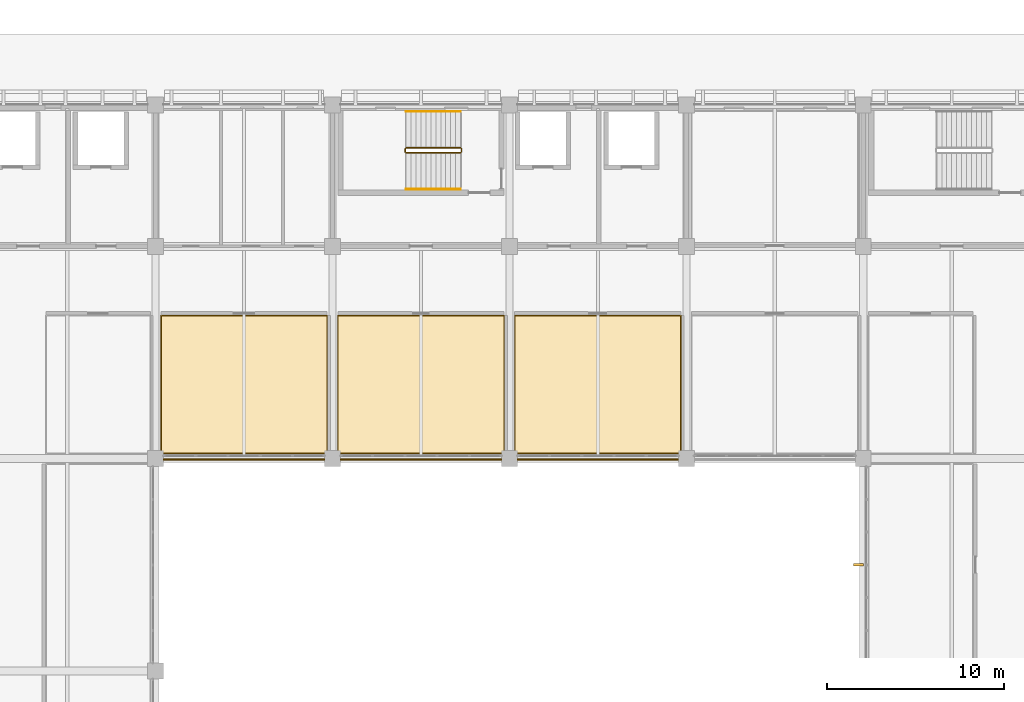
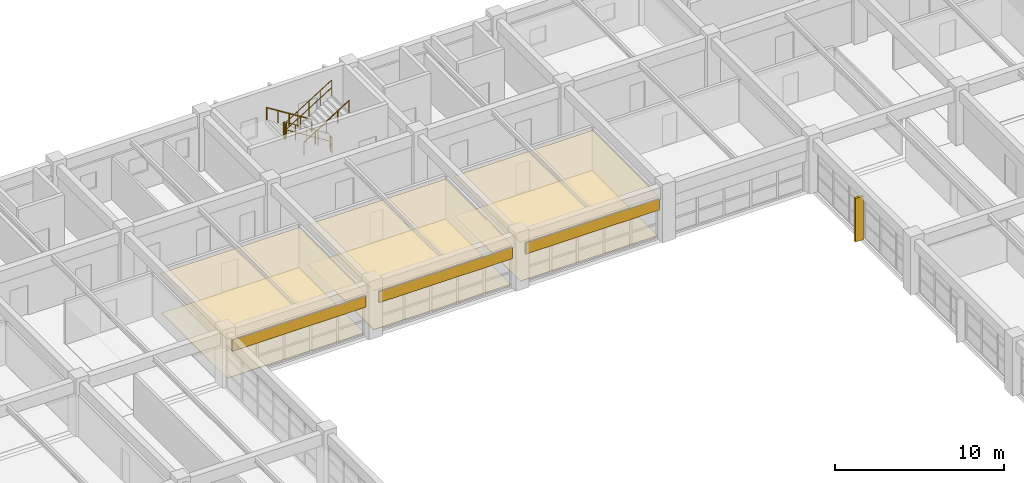
# One storey, part 98 of 100: 9 coverings, 6 railings, 1 shading device.
"""IFC4 building model written with IfcOpenShell, lengths in metres."""

from ifc_helpers import new_model, si_unit, direction, frame, frame_2d, origin, origin_2d, place, context, subcontext, project, spatial, polyline, rectangle, circle, outline, extrude, material, layer, layer_set, type_object, element, save


model = new_model("IFC4")

# Units and contexts
model_context = context("Model", 3, precision=1e-05, world=origin(), true_north=direction((0.0, 1.0)))
body_context = subcontext(model_context, "Body", "Model", "MODEL_VIEW")
ifc_project = project(units=[si_unit("LENGTHUNIT", "METRE"), si_unit("AREAUNIT", "SQUARE_METRE"), si_unit("VOLUMEUNIT", "CUBIC_METRE"), si_unit("PLANEANGLEUNIT", "RADIAN"), si_unit("MASSUNIT", "GRAM", prefix="KILO")], contexts=[model_context])

# Site, building, storey
site_placement = place(None, origin())
site = spatial("IfcSite", under=ifc_project, at=site_placement, CompositionType="ELEMENT")
building_placement = place(site_placement, origin())
building = spatial("IfcBuilding", under=site, at=building_placement, Name="Kivolera Central Railway Station", CompositionType="ELEMENT")
storey_placement = place(building_placement, frame((0.0, 0.0, 5.39990234375)))
storey = spatial("IfcBuildingStorey", under=building, at=storey_placement, Name="L01", CompositionType="ELEMENT", Elevation=5.39990234375)

# Shading device
ifc_material_1 = material(Name="Precast concrete C40/50", Category="concrete")
shading_device_type = type_object("IfcShadingDeviceType", Name="BS-FIN-CRT", PredefinedType="USERDEFINED", material=ifc_material_1)
shading_device_placement = place(storey_placement, frame((177.735107421875, 108.0, 0.000244140625), z_axis=(0.0, 0.0, 1.0), x_axis=(1.0, 0.0, 0.0)))
element("IfcShadingDevice", 1, at=shading_device_placement, inside=storey, type_object=shading_device_type, Name="L01 Courtyard East Solar Brise-Soleil Fin J", ObjectType="FIN", PredefinedType="USERDEFINED", context=body_context, shape_type="SweptSolid", body=[
    extrude(rectangle(XDim=0.550048828125, YDim=0.139892578125, at=origin_2d()), origin(), (0.0, 0.0, 1.0), 3.14990234375),
])

# Coverings
ifc_material_2 = material(Name="Mineral fibre acoustic tile")
ifc_layer_1 = layer(ifc_material_2, 0.02001953125, Name="Mineral fibre acoustic tile")
ifc_layer_set_1 = layer_set([ifc_layer_1], Name="Mineral fibre acoustic tile")
covering_type_1 = type_object("IfcCoveringType", Name="COV-CEIL-20", PredefinedType="CEILING", material=ifc_layer_set_1)
covering_1_placement = place(storey_placement, frame((0.0, 0.0, 2.85009765625)))
element("IfcCovering", 2, at=covering_1_placement, inside=storey, type_object=covering_type_1, Name="L01 Commuter Banking Branch Office Acoustic Ceiling", PredefinedType="CEILING", context=body_context, shape_type="SweptSolid", body=[
    extrude(outline(polyline([(148.280029296875, 114.280029296875), (157.719970703125, 114.280029296875), (157.719970703125, 122.1201171875), (148.280029296875, 122.1201171875), (148.280029296875, 114.280029296875)])), origin(), (0.0, 0.0, 1.0), 0.02001953125),
])
ifc_material_3 = material(Name="Hardwood mvule timber", Category="wood")
ifc_layer_2 = layer(ifc_material_3, 0.02490234375, Name="Hardwood mvule timber")
ifc_layer_set_2 = layer_set([ifc_layer_2], Name="Hardwood mvule timber")
covering_type_2 = type_object("IfcCoveringType", Name="COV-CEIL-25", PredefinedType="CEILING", material=ifc_layer_set_2)
covering_2_placement = place(storey_placement, frame((0.0, 0.0, 2.85009765625)))
element("IfcCovering", 3, at=covering_2_placement, inside=storey, type_object=covering_type_2, Name="L01 Express Courier Counter Shop Acoustic Ceiling", PredefinedType="CEILING", context=body_context, shape_type="SweptSolid", body=[
    extrude(outline(polyline([(158.280029296875, 114.280029296875), (167.719970703125, 114.280029296875), (167.719970703125, 122.1201171875), (158.280029296875, 122.1201171875), (158.280029296875, 114.280029296875)])), origin(), (0.0, 0.0, 1.0), 0.02490234375),
])
ifc_layer_3 = layer(ifc_material_2, 0.030029296875, Name="Mineral fibre acoustic tile")
ifc_layer_set_3 = layer_set([ifc_layer_3], Name="Mineral fibre acoustic tile")
covering_type_3 = type_object("IfcCoveringType", Name="COV-CEIL-30", PredefinedType="CEILING", material=ifc_layer_set_3)
covering_3_placement = place(storey_placement, frame((0.0, 0.0, 2.85009765625)))
element("IfcCovering", 4, at=covering_3_placement, inside=storey, type_object=covering_type_3, Name="L01 Coastal Artisan Gallery Shop Acoustic Ceiling", PredefinedType="CEILING", context=body_context, shape_type="SweptSolid", body=[
    extrude(outline(polyline([(138.280029296875, 114.280029296875), (147.719970703125, 114.280029296875), (147.719970703125, 122.1201171875), (138.280029296875, 122.1201171875), (138.280029296875, 114.280029296875)])), origin(), (0.0, 0.0, 1.0), 0.030029296875),
])
ifc_layer_4 = layer(ifc_material_1, 0.090087890625, Name="Precast concrete C40/50")
ifc_layer_set_4 = layer_set([ifc_layer_4], Name="Precast concrete C40/50")
covering_type_4 = type_object("IfcCoveringType", Name="COV-CLAUSTRA-90", PredefinedType="CLADDING", material=ifc_layer_set_4)
for number, where, z_axis, x_axis, name in (
    (5, (147.554931640625, 113.9599609375, 2.168212890625), (0.0, 0.0, 1.0), (-1.0, 0.0, 0.0), "L01 Monsoon Court Precast Claustra Screen 138"),
    (6, (157.554931640625, 113.9599609375, 2.168212890625), (0.0, 0.0, 1.0), (-1.0, 0.0, 0.0), "L01 Monsoon Court Precast Claustra Screen 148"),
    (7, (167.554931640625, 113.9599609375, 2.168212890625), (0.0, 0.0, 1.0), (-1.0, 0.0, 0.0), "L01 Monsoon Court Precast Claustra Screen 158"),
):
    element("IfcCovering", number, at=place(storey_placement, frame(where, z_axis=z_axis, x_axis=x_axis)), inside=storey, type_object=covering_type_4, Name=name, PredefinedType="CLADDING", context=body_context, shape_type="SweptSolid", body=[
        extrude(rectangle(XDim=9.10986328125, YDim=0.090087890625, at=frame_2d((4.554931640625, 0.0))), origin(), (0.0, 0.0, 1.0), 0.7998046875),
    ])
ifc_material_4 = material(Name="Swahili coral limestone", Category="masonry")
ifc_layer_5 = layer(ifc_material_4, 0.030029296875, Name="Swahili coral limestone")
ifc_layer_set_5 = layer_set([ifc_layer_5], Name="Swahili coral limestone")
covering_type_5 = type_object("IfcCoveringType", Name="COV-FLR-30", PredefinedType="FLOORING", material=ifc_layer_set_5)
covering_4_placement = place(storey_placement, origin())
element("IfcCovering", 8, at=covering_4_placement, inside=storey, type_object=covering_type_5, Name="L01 Coastal Artisan Gallery Shop Floor Finish", PredefinedType="FLOORING", context=body_context, shape_type="SweptSolid", body=[
    extrude(outline(polyline([(138.320068359375, 114.320068359375), (147.679931640625, 114.320068359375), (147.679931640625, 122.080078125), (138.320068359375, 122.080078125), (138.320068359375, 114.320068359375)])), origin(), (0.0, 0.0, 1.0), 0.030029296875),
])
covering_5_placement = place(storey_placement, origin())
element("IfcCovering", 9, at=covering_5_placement, inside=storey, type_object=covering_type_5, Name="L01 Commuter Banking Branch Office Floor Finish", PredefinedType="FLOORING", context=body_context, shape_type="SweptSolid", body=[
    extrude(outline(polyline([(148.320068359375, 114.320068359375), (157.679931640625, 114.320068359375), (157.679931640625, 122.080078125), (148.320068359375, 122.080078125), (148.320068359375, 114.320068359375)])), origin(), (0.0, 0.0, 1.0), 0.030029296875),
])
covering_6_placement = place(storey_placement, origin())
element("IfcCovering", 10, at=covering_6_placement, inside=storey, type_object=covering_type_5, Name="L01 Express Courier Counter Shop Floor Finish", PredefinedType="FLOORING", context=body_context, shape_type="SweptSolid", body=[
    extrude(outline(polyline([(158.320068359375, 114.320068359375), (167.679931640625, 114.320068359375), (167.679931640625, 122.080078125), (158.320068359375, 122.080078125), (158.320068359375, 114.320068359375)])), origin(), (0.0, 0.0, 1.0), 0.030029296875),
])

# Railings
ifc_material_5 = material(Name="Anodised aluminium", Category="aluminium")
ifc_layer_6 = layer(ifc_material_5, 0.048095703125, Name="Anodised aluminium")
ifc_layer_set_6 = layer_set([ifc_layer_6], Name="Anodised aluminium")
railing_type_1 = type_object("IfcRailingType", Name="RL-STAIR-GUARD", PredefinedType="GUARDRAIL", material=ifc_layer_set_6)
railing_1_placement = place(storey_placement, frame((155.239990234375, 131.570068359375, 0.175048828125)))
element("IfcRailing", 11, at=railing_1_placement, inside=storey, type_object=railing_type_1, Name="L01 ST2 stair guard 1", PredefinedType="GUARDRAIL", context=body_context, shape_type="SweptSolid", body=[
    extrude(circle(Radius=0.02392578125, at=origin_2d()), frame((0.0, 0.0, 1.10595703125), z_axis=(-0.847998304005, 0.0, 0.529998940003), x_axis=(0.0, -1.0, 0.0)), (0.0, 0.0, 1.0), 3.632080078125),
    extrude(circle(Radius=0.02392578125, at=origin_2d()), frame((0.0, 0.0, 0.56494140625), z_axis=(-0.847998304005, 0.0, 0.529998940003), x_axis=(0.0, -1.0, 0.0)), (0.0, 0.0, 1.0), 3.632080078125),
    extrude(circle(Radius=0.02099609375, at=origin_2d()), origin(), (0.0, 0.0, 1.0), 1.081787109375),
    extrude(circle(Radius=0.02099609375, at=origin_2d()), frame((-0.77001953125, 0.0, 0.481201171875)), (0.0, 0.0, 1.0), 1.081787109375),
    extrude(circle(Radius=0.02099609375, at=origin_2d()), frame((-1.5400390625, 0.0, 0.96240234375)), (0.0, 0.0, 1.0), 1.081787109375),
    extrude(circle(Radius=0.02099609375, at=origin_2d()), frame((-2.31005859375, 0.0, 1.44384765625)), (0.0, 0.0, 1.0), 1.081787109375),
    extrude(circle(Radius=0.02099609375, at=origin_2d()), frame((-3.080078125, 0.0, 1.925048828125)), (0.0, 0.0, 1.0), 1.081787109375),
])
railing_2_placement = place(storey_placement, frame((152.110107421875, 131.52001953125, 2.10009765625)))
element("IfcRailing", 12, at=railing_2_placement, inside=storey, type_object=railing_type_1, Name="L01 ST2 stair guard 2", PredefinedType="GUARDRAIL", context=body_context, shape_type="SweptSolid", body=[
    extrude(circle(Radius=0.02392578125, at=origin_2d()), frame((0.0, 0.0, 1.10595703125), z_axis=(0.0, -1.0, 0.0), x_axis=(1.0, 0.0, 0.0)), (0.0, 0.0, 1.0), 0.179931640625),
    extrude(circle(Radius=0.02392578125, at=origin_2d()), frame((0.0, 0.0, 0.56494140625), z_axis=(0.0, -1.0, 0.0), x_axis=(1.0, 0.0, 0.0)), (0.0, 0.0, 1.0), 0.179931640625),
    extrude(circle(Radius=0.02099609375, at=origin_2d()), origin(), (0.0, 0.0, 1.0), 1.081787109375),
    extrude(circle(Radius=0.02099609375, at=origin_2d()), frame((0.0, -0.179931640625, 0.0)), (0.0, 0.0, 1.0), 1.081787109375),
])
railing_3_placement = place(storey_placement, frame((152.159912109375, 131.2900390625, 2.275146484375)))
element("IfcRailing", 13, at=railing_3_placement, inside=storey, type_object=railing_type_1, Name="L01 ST2 stair guard 3", PredefinedType="GUARDRAIL", context=body_context, shape_type="SweptSolid", body=[
    extrude(circle(Radius=0.02392578125, at=origin_2d()), frame((0.0, 0.0, 1.10595703125), z_axis=(0.847998304005, 0.0, 0.529998940003), x_axis=(0.0, 1.0, 0.0)), (0.0, 0.0, 1.0), 3.632080078125),
    extrude(circle(Radius=0.02392578125, at=origin_2d()), frame((0.0, 0.0, 0.56494140625), z_axis=(0.847998304005, 0.0, 0.529998940003), x_axis=(0.0, 1.0, 0.0)), (0.0, 0.0, 1.0), 3.632080078125),
    extrude(circle(Radius=0.02099609375, at=origin_2d()), origin(), (0.0, 0.0, 1.0), 1.081787109375),
    extrude(circle(Radius=0.02099609375, at=origin_2d()), frame((0.77001953125, 0.0, 0.481201171875)), (0.0, 0.0, 1.0), 1.081787109375),
    extrude(circle(Radius=0.02099609375, at=origin_2d()), frame((1.5400390625, 0.0, 0.96240234375)), (0.0, 0.0, 1.0), 1.081787109375),
    extrude(circle(Radius=0.02099609375, at=origin_2d()), frame((2.31005859375, 0.0, 1.44384765625)), (0.0, 0.0, 1.0), 1.081787109375),
    extrude(circle(Radius=0.02099609375, at=origin_2d()), frame((3.080078125, 0.0, 1.925048828125)), (0.0, 0.0, 1.0), 1.081787109375),
])
railing_4_placement = place(storey_placement, frame((155.2900390625, 131.52001953125, 0.0)))
element("IfcRailing", 14, at=railing_4_placement, inside=storey, type_object=railing_type_1, Name="L01 ST2 stair guard 4", PredefinedType="GUARDRAIL", context=body_context, shape_type="SweptSolid", body=[
    extrude(circle(Radius=0.02392578125, at=origin_2d()), frame((0.0, 0.0, 1.10595703125), z_axis=(0.0, -1.0, 0.0), x_axis=(1.0, 0.0, 0.0)), (0.0, 0.0, 1.0), 0.179931640625),
    extrude(circle(Radius=0.02392578125, at=origin_2d()), frame((0.0, 0.0, 0.56494140625), z_axis=(0.0, -1.0, 0.0), x_axis=(1.0, 0.0, 0.0)), (0.0, 0.0, 1.0), 0.179931640625),
    extrude(circle(Radius=0.02099609375, at=origin_2d()), origin(), (0.0, 0.0, 1.0), 1.081787109375),
    extrude(circle(Radius=0.02099609375, at=origin_2d()), frame((0.0, -0.179931640625, 0.0)), (0.0, 0.0, 1.0), 1.081787109375),
])
ifc_layer_7 = layer(ifc_material_5, 0.048095703125, Name="Anodised aluminium")
ifc_layer_set_7 = layer_set([ifc_layer_7], Name="Anodised aluminium")
railing_type_2 = type_object("IfcRailingType", Name="RL-STAIR-HAND", PredefinedType="HANDRAIL", material=ifc_layer_set_7)
railing_5_placement = place(storey_placement, frame((155.239990234375, 133.6298828125, 0.175048828125)))
element("IfcRailing", 15, at=railing_5_placement, inside=storey, type_object=railing_type_2, Name="L01 ST2 stair handrail 1", PredefinedType="HANDRAIL", context=body_context, shape_type="SweptSolid", body=[
    extrude(circle(Radius=0.02392578125, at=origin_2d()), frame((0.0, 0.0, 0.8759765625), z_axis=(-0.847998304005, 0.0, 0.529998940003), x_axis=(0.0, -1.0, 0.0)), (0.0, 0.0, 1.0), 3.632080078125),
    extrude(circle(Radius=0.02099609375, at=origin_2d()), origin(), (0.0, 0.0, 1.0), 0.851806640625),
    extrude(circle(Radius=0.02099609375, at=origin_2d()), frame((-0.77001953125, 0.0, 0.481201171875)), (0.0, 0.0, 1.0), 0.851806640625),
    extrude(circle(Radius=0.02099609375, at=origin_2d()), frame((-1.5400390625, 0.0, 0.96240234375)), (0.0, 0.0, 1.0), 0.851806640625),
    extrude(circle(Radius=0.02099609375, at=origin_2d()), frame((-2.31005859375, 0.0, 1.44384765625)), (0.0, 0.0, 1.0), 0.851806640625),
    extrude(circle(Radius=0.02099609375, at=origin_2d()), frame((-3.080078125, 0.0, 1.925048828125)), (0.0, 0.0, 1.0), 0.851806640625),
])
railing_6_placement = place(storey_placement, frame((152.159912109375, 129.22998046875, 2.275146484375)))
element("IfcRailing", 16, at=railing_6_placement, inside=storey, type_object=railing_type_2, Name="L01 ST2 stair handrail 2", PredefinedType="HANDRAIL", context=body_context, shape_type="SweptSolid", body=[
    extrude(circle(Radius=0.02392578125, at=origin_2d()), frame((0.0, 0.0, 0.8759765625), z_axis=(0.847998304005, 0.0, 0.529998940003), x_axis=(0.0, 1.0, 0.0)), (0.0, 0.0, 1.0), 3.632080078125),
    extrude(circle(Radius=0.02099609375, at=origin_2d()), origin(), (0.0, 0.0, 1.0), 0.851806640625),
    extrude(circle(Radius=0.02099609375, at=origin_2d()), frame((0.77001953125, 0.0, 0.481201171875)), (0.0, 0.0, 1.0), 0.851806640625),
    extrude(circle(Radius=0.02099609375, at=origin_2d()), frame((1.5400390625, 0.0, 0.96240234375)), (0.0, 0.0, 1.0), 0.851806640625),
    extrude(circle(Radius=0.02099609375, at=origin_2d()), frame((2.31005859375, 0.0, 1.44384765625)), (0.0, 0.0, 1.0), 0.851806640625),
    extrude(circle(Radius=0.02099609375, at=origin_2d()), frame((3.080078125, 0.0, 1.925048828125)), (0.0, 0.0, 1.0), 0.851806640625),
])

save(model, "model.ifc")
